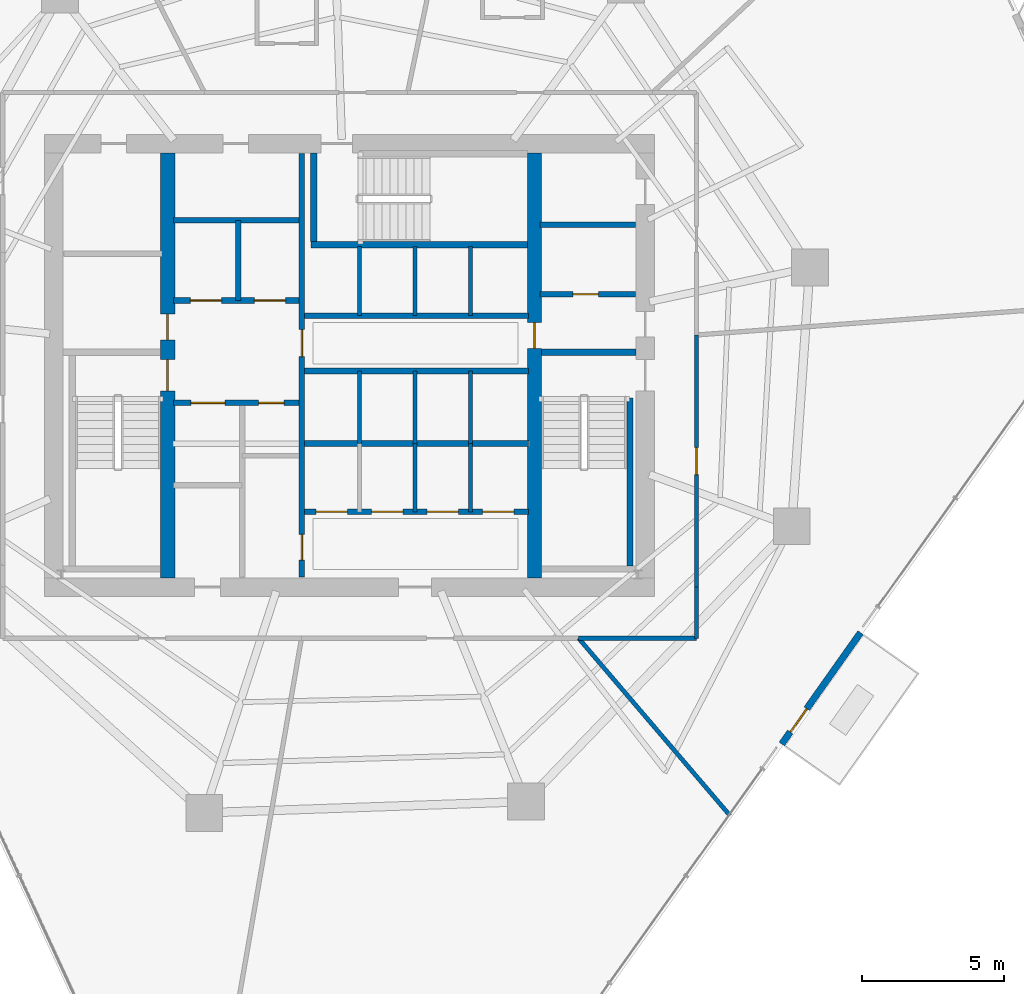
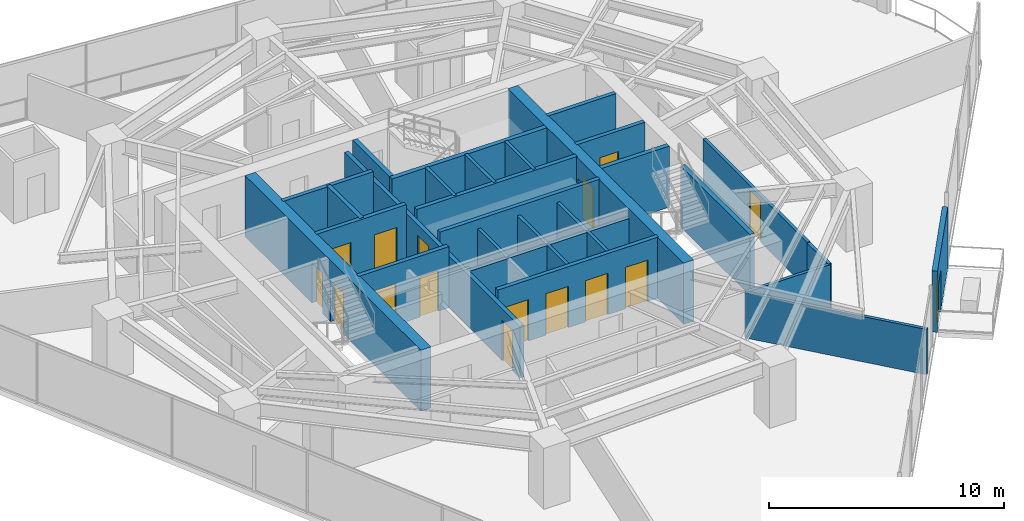
# One storey, part 26 of 30: 30 walls, 16 doors, 16 openings.
"""IFC4 building model written with IfcOpenShell, lengths in metres."""

from ifc_helpers import new_model, si_unit, direction, frame, frame_2d, origin, place, context, subcontext, project, spatial, rectangle, extrude, material, layer, layer_set, type_object, element, fill, save


model = new_model("IFC4")

# Units and contexts
model_context = context("Model", 3, precision=1e-05, world=origin(), true_north=direction((0.0, 1.0)))
body_context = subcontext(model_context, "Body", "Model", "MODEL_VIEW")
ifc_project = project(units=[si_unit("LENGTHUNIT", "METRE"), si_unit("AREAUNIT", "SQUARE_METRE"), si_unit("VOLUMEUNIT", "CUBIC_METRE"), si_unit("PLANEANGLEUNIT", "RADIAN"), si_unit("MASSUNIT", "GRAM", prefix="KILO")], contexts=[model_context])

# Site, building, storey
site_placement = place(None, origin())
site = spatial("IfcSite", under=ifc_project, at=site_placement, CompositionType="ELEMENT")
building_placement = place(site_placement, origin())
building = spatial("IfcBuilding", under=site, at=building_placement, Name="Qarnah Convention Tower", CompositionType="ELEMENT")
storey_placement = place(building_placement, frame((0.0, 0.0, 47.699951171875)))
storey = spatial("IfcBuildingStorey", under=building, at=storey_placement, Name="L11", CompositionType="ELEMENT", Elevation=47.699951171875)

# Wall, openings, doors
ifc_material_1 = material(Name="Concrete C60/75", Category="concrete")
ifc_layer_1 = layer(ifc_material_1, 0.5)
ifc_layer_set_1 = layer_set([ifc_layer_1], Name="Concrete C60/75")
wall_type_1 = type_object("IfcWallType", Name="WL-CORE-INT-400", PredefinedType="SHEAR", material=ifc_layer_set_1)
wall_1_placement = place(storey_placement, frame((30.800048828125, 18.925048828125, 0.0), z_axis=(0.0, 0.0, 1.0), x_axis=(0.0, 1.0, 0.0)))
wall_1 = element("IfcWall", 1, at=wall_1_placement, inside=storey, type_object=wall_type_1, Name="L11 core west spine shear wall", PredefinedType="SHEAR", context=body_context, shape_type="SweptSolid", body=[
    extrude(rectangle(XDim=14.949951171875, YDim=0.5, at=frame_2d((7.47509765625, 0.0))), origin(), (0.0, 0.0, 1.0), 3.170166015625),
])
opening_1_placement = place(wall_1_placement, frame((6.574951171875, 0.0, 0.0)))
opening_1 = element("IfcOpeningElement", 2, at=opening_1_placement, cuts=wall_1, Name="Opening D-1101", PredefinedType="OPENING", context=body_context, shape_type="SweptSolid", body=[
    extrude(rectangle(XDim=1.10009765625, YDim=2.14990234375, at=frame_2d((0.550048828125, 1.074951171875))), frame((0.0, 0.260009765625, 0.0), z_axis=(0.0, -1.0, 0.0), x_axis=(1.0, 0.0, 0.0)), (0.0, 0.0, 1.0), 0.52001953125),
])
opening_2_placement = place(wall_1_placement, frame((8.375, 0.0, 0.0)))
opening_2 = element("IfcOpeningElement", 3, at=opening_2_placement, cuts=wall_1, Name="Opening D-1108", PredefinedType="OPENING", context=body_context, shape_type="SweptSolid", body=[
    extrude(rectangle(XDim=0.89990234375, YDim=2.10009765625, at=frame_2d((0.449951171875, 1.050048828125))), frame((0.0, 0.260009765625, 0.0), z_axis=(0.0, -1.0, 0.0), x_axis=(1.0, 0.0, 0.0)), (0.0, 0.0, 1.0), 0.52001953125),
])
ifc_material_2 = material(Name="Structural steel S355JR", Category="steel")
door_type_1 = type_object("IfcDoorType", Name="DT-RISER-900", OperationType="NOTDEFINED", PredefinedType="DOOR", material=ifc_material_2)
door_1_placement = place(opening_2_placement, origin())
door_1 = element("IfcDoor", 4, at=door_1_placement, inside=storey, type_object=door_type_1, Name="Door D-1108", OperationType="SINGLE_SWING_RIGHT", OverallHeight=2.10009765625, OverallWidth=0.89990234375, PredefinedType="DOOR", context=body_context, shape_type="SweptSolid", body=[
    extrude(rectangle(XDim=0.89990234375, YDim=2.10009765625, at=frame_2d((0.449951171875, 1.050048828125))), frame((0.0, 0.02490234375, 0.0), z_axis=(0.0, -1.0, 0.0), x_axis=(1.0, 0.0, 0.0)), (0.0, 0.0, 1.0), 0.050048828125),
])
fill(opening_2, door_1)
door_type_2 = type_object("IfcDoorType", Name="DT-STAIR-1100", OperationType="NOTDEFINED", PredefinedType="DOOR", material=ifc_material_2)
door_2_placement = place(opening_1_placement, origin())
door_2 = element("IfcDoor", 5, at=door_2_placement, inside=storey, type_object=door_type_2, Name="Door D-1101", OperationType="SINGLE_SWING_LEFT", OverallHeight=2.14990234375, OverallWidth=1.10009765625, PredefinedType="DOOR", context=body_context, shape_type="SweptSolid", body=[
    extrude(rectangle(XDim=1.10009765625, YDim=2.14990234375, at=frame_2d((0.550048828125, 1.074951171875))), frame((0.0, 0.02490234375, 0.0), z_axis=(0.0, -1.0, 0.0), x_axis=(1.0, 0.0, 0.0)), (0.0, 0.0, 1.0), 0.050048828125),
])
fill(opening_1, door_2)

# Wall, opening, door
wall_2_placement = place(storey_placement, frame((43.699951171875, 18.925048828125, 0.0), z_axis=(0.0, 0.0, 1.0), x_axis=(0.0, 1.0, 0.0)))
wall_2 = element("IfcWall", 6, at=wall_2_placement, inside=storey, type_object=wall_type_1, Name="L11 core east spine shear wall", PredefinedType="SHEAR", context=body_context, shape_type="SweptSolid", body=[
    extrude(rectangle(XDim=14.949951171875, YDim=0.5, at=frame_2d((7.47509765625, 0.0))), origin(), (0.0, 0.0, 1.0), 3.170166015625),
])
opening_3_placement = place(wall_2_placement, frame((8.074951171875, 0.0, 0.0)))
opening_3 = element("IfcOpeningElement", 7, at=opening_3_placement, cuts=wall_2, Name="Opening D-1105", PredefinedType="OPENING", context=body_context, shape_type="SweptSolid", body=[
    extrude(rectangle(XDim=0.89990234375, YDim=2.10009765625, at=frame_2d((0.449951171875, 1.050048828125))), frame((0.0, 0.260009765625, 0.0), z_axis=(0.0, -1.0, 0.0), x_axis=(1.0, 0.0, 0.0)), (0.0, 0.0, 1.0), 0.52001953125),
])
door_3_placement = place(opening_3_placement, origin())
door_3 = element("IfcDoor", 8, at=door_3_placement, inside=storey, type_object=door_type_1, Name="Door D-1105", OperationType="SINGLE_SWING_LEFT", OverallHeight=2.10009765625, OverallWidth=0.89990234375, PredefinedType="DOOR", context=body_context, shape_type="SweptSolid", body=[
    extrude(rectangle(XDim=0.89990234375, YDim=2.10009765625, at=frame_2d((0.449951171875, 1.050048828125))), frame((0.0, 0.02490234375, 0.0), z_axis=(0.0, -1.0, 0.0), x_axis=(1.0, 0.0, 0.0)), (0.0, 0.0, 1.0), 0.050048828125),
])
fill(opening_3, door_3)

ifc_material_3 = material(Name="Concrete C45/55", Category="concrete")
ifc_layer_2 = layer(ifc_material_3, 0.199951171875)
ifc_layer_set_2 = layer_set([ifc_layer_2], Name="Concrete C45/55")
wall_type_2 = type_object("IfcWallType", Name="WL-CORE-PART-200", PredefinedType="SOLIDWALL", material=ifc_layer_set_2)
wall_3_placement = place(storey_placement, frame((43.89990234375, 28.89990234375, 0.0), z_axis=(0.0, 0.0, 1.0), x_axis=(1.0, 0.0, 0.0)))
wall_3 = element("IfcWall", 9, at=wall_3_placement, inside=storey, type_object=wall_type_2, Name="L11 interior wall IW-L11-EVSTN", PredefinedType="SOLIDWALL", context=body_context, shape_type="SweptSolid", body=[
    extrude(rectangle(XDim=3.35009765625, YDim=0.199951171875, at=frame_2d((1.675048828125, 0.0))), origin(), (0.0, 0.0, 1.0), 3.170166015625),
])
opening_4_placement = place(wall_3_placement, frame((1.14990234375, 0.0, 0.0)))
opening_4 = element("IfcOpeningElement", 10, at=opening_4_placement, cuts=wall_3, Name="Opening D-1111", PredefinedType="OPENING", context=body_context, shape_type="SweptSolid", body=[
    extrude(rectangle(XDim=0.89990234375, YDim=2.10009765625, at=frame_2d((0.449951171875, 1.050048828125))), frame((0.0, 0.10986328125, 0.0), z_axis=(0.0, -1.0, 0.0), x_axis=(1.0, 0.0, 0.0)), (0.0, 0.0, 1.0), 0.219970703125),
])
door_4_placement = place(opening_4_placement, origin())
door_4 = element("IfcDoor", 11, at=door_4_placement, inside=storey, type_object=door_type_1, Name="Door D-1111", OperationType="SINGLE_SWING_LEFT", OverallHeight=2.10009765625, OverallWidth=0.89990234375, PredefinedType="DOOR", context=body_context, shape_type="SweptSolid", body=[
    extrude(rectangle(XDim=0.89990234375, YDim=2.10009765625, at=frame_2d((0.449951171875, 1.050048828125))), frame((0.0, 0.02490234375, 0.0), z_axis=(0.0, -1.0, 0.0), x_axis=(1.0, 0.0, 0.0)), (0.0, 0.0, 1.0), 0.050048828125),
])
fill(opening_4, door_4)

# Wall
wall_4_placement = place(storey_placement, frame((43.89990234375, 31.35009765625, 0.0), z_axis=(0.0, 0.0, 1.0), x_axis=(1.0, 0.0, 0.0)))
element("IfcWall", 12, at=wall_4_placement, inside=storey, type_object=wall_type_2, Name="L11 interior wall IW-L11-WTRN", PredefinedType="SOLIDWALL", context=body_context, shape_type="SweptSolid", body=[
    extrude(rectangle(XDim=3.35009765625, YDim=0.199951171875, at=frame_2d((1.675048828125, 0.0))), origin(), (0.0, 0.0, 1.0), 3.170166015625),
])

# Wall, openings, doors
wall_5_placement = place(storey_placement, frame((35.52001953125, 18.949951171875, 0.0), z_axis=(0.0, 0.0, 1.0), x_axis=(0.0, 1.0, 0.0)))
wall_5 = element("IfcWall", 13, at=wall_5_placement, inside=storey, type_object=wall_type_2, Name="L11 interior wall IW-L11-CSP", PredefinedType="SOLIDWALL", context=body_context, shape_type="SweptSolid", body=[
    extrude(rectangle(XDim=14.900146484375, YDim=0.199951171875, at=frame_2d((7.4501953125, 0.0))), origin(), (0.0, 0.0, 1.0), 2.691162109375),
])
opening_5_placement = place(wall_5_placement, frame((7.7548828125, 0.0, 0.0)))
opening_5 = element("IfcOpeningElement", 14, at=opening_5_placement, cuts=wall_5, Name="Opening D-1104", PredefinedType="OPENING", context=body_context, shape_type="SweptSolid", body=[
    extrude(rectangle(XDim=0.949951171875, YDim=2.14990234375, at=frame_2d((0.47509765625, 1.074951171875))), frame((0.0, 0.10986328125, 0.0), z_axis=(0.0, -1.0, 0.0), x_axis=(1.0, 0.0, 0.0)), (0.0, 0.0, 1.0), 0.219970703125),
])
opening_6_placement = place(wall_5_placement, frame((0.60009765625, 0.0, 0.0)))
opening_6 = element("IfcOpeningElement", 15, at=opening_6_placement, cuts=wall_5, Name="Opening D-1114", PredefinedType="OPENING", context=body_context, shape_type="SweptSolid", body=[
    extrude(rectangle(XDim=0.89990234375, YDim=2.10009765625, at=frame_2d((0.449951171875, 1.050048828125))), frame((0.0, 0.10986328125, 0.0), z_axis=(0.0, -1.0, 0.0), x_axis=(1.0, 0.0, 0.0)), (0.0, 0.0, 1.0), 0.219970703125),
])
ifc_material_4 = material(Name="Oak timber veneer", Category="wood")
door_type_3 = type_object("IfcDoorType", Name="DT-HOTEL-950", OperationType="NOTDEFINED", PredefinedType="DOOR", material=ifc_material_4)
door_5_placement = place(opening_5_placement, origin())
door_5 = element("IfcDoor", 16, at=door_5_placement, inside=storey, type_object=door_type_3, Name="Door D-1104", OperationType="SINGLE_SWING_RIGHT", OverallHeight=2.14990234375, OverallWidth=0.949951171875, PredefinedType="DOOR", context=body_context, shape_type="SweptSolid", body=[
    extrude(rectangle(XDim=0.949951171875, YDim=2.14990234375, at=frame_2d((0.47509765625, 1.074951171875))), frame((0.0, 0.02490234375, 0.0), z_axis=(0.0, -1.0, 0.0), x_axis=(1.0, 0.0, 0.0)), (0.0, 0.0, 1.0), 0.050048828125),
])
fill(opening_5, door_5)
door_6_placement = place(opening_6_placement, origin())
door_6 = element("IfcDoor", 17, at=door_6_placement, inside=storey, type_object=door_type_1, Name="Door D-1114", OperationType="SINGLE_SWING_RIGHT", OverallHeight=2.10009765625, OverallWidth=0.89990234375, PredefinedType="DOOR", context=body_context, shape_type="SweptSolid", body=[
    extrude(rectangle(XDim=0.89990234375, YDim=2.10009765625, at=frame_2d((0.449951171875, 1.050048828125))), frame((0.0, 0.02490234375, 0.0), z_axis=(0.0, -1.0, 0.0), x_axis=(1.0, 0.0, 0.0)), (0.0, 0.0, 1.0), 0.050048828125),
])
fill(opening_6, door_6)

wall_6_placement = place(storey_placement, frame((31.0, 28.679931640625, 0.0), z_axis=(0.0, 0.0, 1.0), x_axis=(1.0, 0.0, 0.0)))
wall_6 = element("IfcWall", 18, at=wall_6_placement, inside=storey, type_object=wall_type_2, Name="L11 interior wall IW-L11-FFLS", PredefinedType="SOLIDWALL", context=body_context, shape_type="SweptSolid", body=[
    extrude(rectangle(XDim=4.419921875, YDim=0.199951171875, at=frame_2d((2.2099609375, 0.0))), origin(), (0.0, 0.0, 1.0), 3.170166015625),
])
opening_7_placement = place(wall_6_placement, frame((0.60009765625, 0.0, 0.0)))
opening_7 = element("IfcOpeningElement", 19, at=opening_7_placement, cuts=wall_6, Name="Opening LD-1101", PredefinedType="OPENING", context=body_context, shape_type="SweptSolid", body=[
    extrude(rectangle(XDim=1.10009765625, YDim=2.14990234375, at=frame_2d((0.550048828125, 1.074951171875))), frame((0.0, 0.10986328125, 0.0), z_axis=(0.0, -1.0, 0.0), x_axis=(1.0, 0.0, 0.0)), (0.0, 0.0, 1.0), 0.219970703125),
])
opening_8_placement = place(wall_6_placement, frame((2.85009765625, 0.0, 0.0)))
opening_8 = element("IfcOpeningElement", 20, at=opening_8_placement, cuts=wall_6, Name="Opening LD-1102", PredefinedType="OPENING", context=body_context, shape_type="SweptSolid", body=[
    extrude(rectangle(XDim=1.10009765625, YDim=2.14990234375, at=frame_2d((0.550048828125, 1.074951171875))), frame((0.0, 0.10986328125, 0.0), z_axis=(0.0, -1.0, 0.0), x_axis=(1.0, 0.0, 0.0)), (0.0, 0.0, 1.0), 0.219970703125),
])
door_type_4 = type_object("IfcDoorType", Name="DT-LIFT-1100", OperationType="SLIDING_TO_LEFT", PredefinedType="DOOR", material=ifc_material_2)
door_7_placement = place(opening_7_placement, origin())
door_7 = element("IfcDoor", 21, at=door_7_placement, inside=storey, type_object=door_type_4, Name="Door LD-1101", OperationType="SLIDING_TO_LEFT", OverallHeight=2.14990234375, OverallWidth=1.10009765625, PredefinedType="DOOR", context=body_context, shape_type="SweptSolid", body=[
    extrude(rectangle(XDim=1.10009765625, YDim=2.14990234375, at=frame_2d((0.550048828125, 1.074951171875))), frame((0.0, 0.02490234375, 0.0), z_axis=(0.0, -1.0, 0.0), x_axis=(1.0, 0.0, 0.0)), (0.0, 0.0, 1.0), 0.050048828125),
])
fill(opening_7, door_7)
door_8_placement = place(opening_8_placement, origin())
door_8 = element("IfcDoor", 22, at=door_8_placement, inside=storey, type_object=door_type_4, Name="Door LD-1102", OperationType="SLIDING_TO_LEFT", OverallHeight=2.14990234375, OverallWidth=1.10009765625, PredefinedType="DOOR", context=body_context, shape_type="SweptSolid", body=[
    extrude(rectangle(XDim=1.10009765625, YDim=2.14990234375, at=frame_2d((0.550048828125, 1.074951171875))), frame((0.0, 0.02490234375, 0.0), z_axis=(0.0, -1.0, 0.0), x_axis=(1.0, 0.0, 0.0)), (0.0, 0.0, 1.0), 0.050048828125),
])
fill(opening_8, door_8)

# Walls
wall_7_placement = place(storey_placement, frame((31.0, 31.5, 0.0), z_axis=(0.0, 0.0, 1.0), x_axis=(1.0, 0.0, 0.0)))
element("IfcWall", 23, at=wall_7_placement, inside=storey, type_object=wall_type_2, Name="L11 interior wall IW-L11-FFLN", PredefinedType="SOLIDWALL", context=body_context, shape_type="SweptSolid", body=[
    extrude(rectangle(XDim=4.419921875, YDim=0.199951171875, at=frame_2d((2.2099609375, 0.0))), origin(), (0.0, 0.0, 1.0), 3.170166015625),
])
wall_8_placement = place(storey_placement, frame((33.280029296875, 28.679931640625, 0.0), z_axis=(0.0, 0.0, 1.0), x_axis=(0.0, 1.0, 0.0)))
element("IfcWall", 24, at=wall_8_placement, inside=storey, type_object=wall_type_2, Name="L11 interior wall IW-L11-FFLM", PredefinedType="SOLIDWALL", context=body_context, shape_type="SweptSolid", body=[
    extrude(rectangle(XDim=2.820068359375, YDim=0.199951171875, at=frame_2d((1.41015625, 0.0))), origin(), (0.0, 0.0, 1.0), 3.170166015625),
])

# Wall, openings, doors
wall_9_placement = place(storey_placement, frame((31.0, 25.080078125, 0.0), z_axis=(0.0, 0.0, 1.0), x_axis=(1.0, 0.0, 0.0)))
wall_9 = element("IfcWall", 25, at=wall_9_placement, inside=storey, type_object=wall_type_2, Name="L11 interior wall IW-L11-FFLBS", PredefinedType="SOLIDWALL", context=body_context, shape_type="SweptSolid", body=[
    extrude(rectangle(XDim=4.419921875, YDim=0.199951171875, at=frame_2d((2.2099609375, 0.0))), origin(), (0.0, 0.0, 1.0), 3.170166015625),
])
opening_9_placement = place(wall_9_placement, frame((3.0, 0.0, 0.0)))
opening_9 = element("IfcOpeningElement", 26, at=opening_9_placement, cuts=wall_9, Name="Opening D-1115", PredefinedType="OPENING", context=body_context, shape_type="SweptSolid", body=[
    extrude(rectangle(XDim=0.89990234375, YDim=2.10009765625, at=frame_2d((0.449951171875, 1.050048828125))), frame((0.0, 0.10986328125, 0.0), z_axis=(0.0, -1.0, 0.0), x_axis=(1.0, 0.0, 0.0)), (0.0, 0.0, 1.0), 0.219970703125),
])
opening_10_placement = place(wall_9_placement, frame((0.6201171875, 0.0, 0.0)))
opening_10 = element("IfcOpeningElement", 27, at=opening_10_placement, cuts=wall_9, Name="Opening LD-1103", PredefinedType="OPENING", context=body_context, shape_type="SweptSolid", body=[
    extrude(rectangle(XDim=1.199951171875, YDim=2.14990234375, at=frame_2d((0.60009765625, 1.074951171875))), frame((0.0, 0.10986328125, 0.0), z_axis=(0.0, -1.0, 0.0), x_axis=(1.0, 0.0, 0.0)), (0.0, 0.0, 1.0), 0.219970703125),
])
door_type_5 = type_object("IfcDoorType", Name="DT-LIFT-1200", OperationType="SLIDING_TO_LEFT", PredefinedType="DOOR", material=ifc_material_2)
door_9_placement = place(opening_10_placement, origin())
door_9 = element("IfcDoor", 28, at=door_9_placement, inside=storey, type_object=door_type_5, Name="Door LD-1103", OperationType="SLIDING_TO_LEFT", OverallHeight=2.14990234375, OverallWidth=1.199951171875, PredefinedType="DOOR", context=body_context, shape_type="SweptSolid", body=[
    extrude(rectangle(XDim=1.199951171875, YDim=2.14990234375, at=frame_2d((0.60009765625, 1.074951171875))), frame((0.0, 0.02490234375, 0.0), z_axis=(0.0, -1.0, 0.0), x_axis=(1.0, 0.0, 0.0)), (0.0, 0.0, 1.0), 0.050048828125),
])
fill(opening_10, door_9)
door_10_placement = place(opening_9_placement, origin())
door_10 = element("IfcDoor", 29, at=door_10_placement, inside=storey, type_object=door_type_1, Name="Door D-1115", OperationType="SINGLE_SWING_LEFT", OverallHeight=2.10009765625, OverallWidth=0.89990234375, PredefinedType="DOOR", context=body_context, shape_type="SweptSolid", body=[
    extrude(rectangle(XDim=0.89990234375, YDim=2.10009765625, at=frame_2d((0.449951171875, 1.050048828125))), frame((0.0, 0.02490234375, 0.0), z_axis=(0.0, -1.0, 0.0), x_axis=(1.0, 0.0, 0.0)), (0.0, 0.0, 1.0), 0.050048828125),
])
fill(opening_9, door_10)

# Walls
for number, where, z_axis, x_axis, name in (
    (30, (35.6201171875, 28.14990234375, 0.0), (0.0, 0.0, 1.0), (1.0, 0.0, 0.0), "L11 interior wall IW-L11-PHS"),
    (31, (35.6201171875, 26.199951171875, 0.0), (0.0, 0.0, 1.0), (1.0, 0.0, 0.0), "L11 interior wall IW-L11-PMN"),
):
    element("IfcWall", number, at=place(storey_placement, frame(where, z_axis=z_axis, x_axis=x_axis)), inside=storey, type_object=wall_type_2, Name=name, PredefinedType="SOLIDWALL", context=body_context, shape_type="SweptSolid", body=[
        extrude(rectangle(XDim=7.8798828125, YDim=0.199951171875, at=frame_2d((3.93994140625, 0.0))), origin(), (0.0, 0.0, 1.0), 3.170166015625),
    ])
wall_10_placement = place(storey_placement, frame((35.6201171875, 23.64990234375, 0.0), z_axis=(0.0, 0.0, 1.0), x_axis=(1.0, 0.0, 0.0)))
element("IfcWall", 32, at=wall_10_placement, inside=storey, type_object=wall_type_2, Name="L11 interior wall IW-L11-PMPL", PredefinedType="SOLIDWALL", context=body_context, shape_type="SweptSolid", body=[
    extrude(rectangle(XDim=7.8798828125, YDim=0.199951171875, at=frame_2d((3.93994140625, 0.0))), origin(), (0.0, 0.0, 1.0), 2.691162109375),
])

# Wall, openings, doors
wall_11_placement = place(storey_placement, frame((35.6201171875, 21.25, 0.0), z_axis=(0.0, 0.0, 1.0), x_axis=(1.0, 0.0, 0.0)))
wall_11 = element("IfcWall", 33, at=wall_11_placement, inside=storey, type_object=wall_type_2, Name="L11 interior wall IW-L11-PLS", PredefinedType="SOLIDWALL", context=body_context, shape_type="SweptSolid", body=[
    extrude(rectangle(XDim=7.8798828125, YDim=0.199951171875, at=frame_2d((3.93994140625, 0.0))), origin(), (0.0, 0.0, 1.0), 3.170166015625),
])
opening_11_placement = place(wall_11_placement, frame((0.405029296875, 0.0, 0.0)))
opening_11 = element("IfcOpeningElement", 34, at=opening_11_placement, cuts=wall_11, Name="Opening LD-1104", PredefinedType="OPENING", context=body_context, shape_type="SweptSolid", body=[
    extrude(rectangle(XDim=1.10009765625, YDim=2.14990234375, at=frame_2d((0.550048828125, 1.074951171875))), frame((0.0, 0.10986328125, 0.0), z_axis=(0.0, -1.0, 0.0), x_axis=(1.0, 0.0, 0.0)), (0.0, 0.0, 1.0), 0.219970703125),
])
opening_12_placement = place(wall_11_placement, frame((2.35498046875, 0.0, 0.0)))
opening_12 = element("IfcOpeningElement", 35, at=opening_12_placement, cuts=wall_11, Name="Opening LD-1105", PredefinedType="OPENING", context=body_context, shape_type="SweptSolid", body=[
    extrude(rectangle(XDim=1.10009765625, YDim=2.14990234375, at=frame_2d((0.550048828125, 1.074951171875))), frame((0.0, 0.10986328125, 0.0), z_axis=(0.0, -1.0, 0.0), x_axis=(1.0, 0.0, 0.0)), (0.0, 0.0, 1.0), 0.219970703125),
])
opening_13_placement = place(wall_11_placement, frame((4.304931640625, 0.0, 0.0)))
opening_13 = element("IfcOpeningElement", 36, at=opening_13_placement, cuts=wall_11, Name="Opening LD-1106", PredefinedType="OPENING", context=body_context, shape_type="SweptSolid", body=[
    extrude(rectangle(XDim=1.10009765625, YDim=2.14990234375, at=frame_2d((0.550048828125, 1.074951171875))), frame((0.0, 0.10986328125, 0.0), z_axis=(0.0, -1.0, 0.0), x_axis=(1.0, 0.0, 0.0)), (0.0, 0.0, 1.0), 0.219970703125),
])
opening_14_placement = place(wall_11_placement, frame((6.2548828125, 0.0, 0.0)))
opening_14 = element("IfcOpeningElement", 37, at=opening_14_placement, cuts=wall_11, Name="Opening LD-1107", PredefinedType="OPENING", context=body_context, shape_type="SweptSolid", body=[
    extrude(rectangle(XDim=1.10009765625, YDim=2.14990234375, at=frame_2d((0.550048828125, 1.074951171875))), frame((0.0, 0.10986328125, 0.0), z_axis=(0.0, -1.0, 0.0), x_axis=(1.0, 0.0, 0.0)), (0.0, 0.0, 1.0), 0.219970703125),
])
door_11_placement = place(opening_11_placement, origin())
door_11 = element("IfcDoor", 38, at=door_11_placement, inside=storey, type_object=door_type_4, Name="Door LD-1104", OperationType="SLIDING_TO_LEFT", OverallHeight=2.14990234375, OverallWidth=1.10009765625, PredefinedType="DOOR", context=body_context, shape_type="SweptSolid", body=[
    extrude(rectangle(XDim=1.10009765625, YDim=2.14990234375, at=frame_2d((0.550048828125, 1.074951171875))), frame((0.0, 0.02490234375, 0.0), z_axis=(0.0, -1.0, 0.0), x_axis=(1.0, 0.0, 0.0)), (0.0, 0.0, 1.0), 0.050048828125),
])
fill(opening_11, door_11)
door_12_placement = place(opening_12_placement, origin())
door_12 = element("IfcDoor", 39, at=door_12_placement, inside=storey, type_object=door_type_4, Name="Door LD-1105", OperationType="SLIDING_TO_LEFT", OverallHeight=2.14990234375, OverallWidth=1.10009765625, PredefinedType="DOOR", context=body_context, shape_type="SweptSolid", body=[
    extrude(rectangle(XDim=1.10009765625, YDim=2.14990234375, at=frame_2d((0.550048828125, 1.074951171875))), frame((0.0, 0.02490234375, 0.0), z_axis=(0.0, -1.0, 0.0), x_axis=(1.0, 0.0, 0.0)), (0.0, 0.0, 1.0), 0.050048828125),
])
fill(opening_12, door_12)
door_13_placement = place(opening_13_placement, origin())
door_13 = element("IfcDoor", 40, at=door_13_placement, inside=storey, type_object=door_type_4, Name="Door LD-1106", OperationType="SLIDING_TO_LEFT", OverallHeight=2.14990234375, OverallWidth=1.10009765625, PredefinedType="DOOR", context=body_context, shape_type="SweptSolid", body=[
    extrude(rectangle(XDim=1.10009765625, YDim=2.14990234375, at=frame_2d((0.550048828125, 1.074951171875))), frame((0.0, 0.02490234375, 0.0), z_axis=(0.0, -1.0, 0.0), x_axis=(1.0, 0.0, 0.0)), (0.0, 0.0, 1.0), 0.050048828125),
])
fill(opening_13, door_13)
door_14_placement = place(opening_14_placement, origin())
door_14 = element("IfcDoor", 41, at=door_14_placement, inside=storey, type_object=door_type_4, Name="Door LD-1107", OperationType="SLIDING_TO_LEFT", OverallHeight=2.14990234375, OverallWidth=1.10009765625, PredefinedType="DOOR", context=body_context, shape_type="SweptSolid", body=[
    extrude(rectangle(XDim=1.10009765625, YDim=2.14990234375, at=frame_2d((0.550048828125, 1.074951171875))), frame((0.0, 0.02490234375, 0.0), z_axis=(0.0, -1.0, 0.0), x_axis=(1.0, 0.0, 0.0)), (0.0, 0.0, 1.0), 0.050048828125),
])
fill(opening_14, door_14)

# Walls
ifc_layer_3 = layer(ifc_material_1, 0.219970703125)
ifc_layer_set_3 = layer_set([ifc_layer_3], Name="Concrete C60/75")
wall_type_3 = type_object("IfcWallType", Name="WL-CORE-STAIR-220", PredefinedType="SHEAR", material=ifc_layer_set_3)
wall_12_placement = place(storey_placement, frame((43.949951171875, 26.860107421875, 0.0), z_axis=(0.0, 0.0, 1.0), x_axis=(1.0, 0.0, 0.0)))
element("IfcWall", 42, at=wall_12_placement, inside=storey, type_object=wall_type_3, Name="L11 stair shaft shear wall SW-L11-ST2N", PredefinedType="SHEAR", context=body_context, shape_type="SweptSolid", body=[
    extrude(rectangle(XDim=3.324951171875, YDim=0.219970703125, at=frame_2d((1.66259765625, 0.0))), origin(), (0.0, 0.0, 1.0), 3.170166015625),
])
wall_13_placement = place(storey_placement, frame((47.06005859375, 19.35009765625, 0.0), z_axis=(0.0, 0.0, 1.0), x_axis=(0.0, 1.0, 0.0)))
element("IfcWall", 43, at=wall_13_placement, inside=storey, type_object=wall_type_3, Name="L11 stair shaft shear wall SW-L11-ST2E", PredefinedType="SHEAR", context=body_context, shape_type="SweptSolid", body=[
    extrude(rectangle(XDim=5.89990234375, YDim=0.219970703125, at=frame_2d((2.949951171875, 0.0))), origin(), (0.0, 0.0, 1.0), 3.170166015625),
])
wall_14_placement = place(storey_placement, frame((35.840087890625, 30.639892578125, 0.0), z_axis=(0.0, 0.0, 1.0), x_axis=(1.0, 0.0, 0.0)))
element("IfcWall", 44, at=wall_14_placement, inside=storey, type_object=wall_type_3, Name="L11 stair shaft shear wall SW-L11-ST3S", PredefinedType="SHEAR", context=body_context, shape_type="SweptSolid", body=[
    extrude(rectangle(XDim=7.60986328125, YDim=0.219970703125, at=frame_2d((3.804931640625, 0.0))), origin(), (0.0, 0.0, 1.0), 3.170166015625),
])
wall_15_placement = place(storey_placement, frame((35.93994140625, 30.75, 0.0), z_axis=(0.0, 0.0, 1.0), x_axis=(0.0, 1.0, 0.0)))
element("IfcWall", 45, at=wall_15_placement, inside=storey, type_object=wall_type_3, Name="L11 stair shaft shear wall SW-L11-ST3W", PredefinedType="SHEAR", context=body_context, shape_type="SweptSolid", body=[
    extrude(rectangle(XDim=3.125, YDim=0.219970703125, at=frame_2d((1.5625, 0.0))), origin(), (0.0, 0.0, 1.0), 3.170166015625),
])

# Wall, opening, door
ifc_material_5 = material(Name="Precast concrete C45/55", Category="concrete")
ifc_layer_4 = layer(ifc_material_5, 0.239990234375)
ifc_layer_set_4 = layer_set([ifc_layer_4], Name="Precast concrete C45/55")
wall_type_4 = type_object("IfcWallType", Name="WL-EXT-BAL-240", PredefinedType="SOLIDWALL", material=ifc_layer_set_4)
wall_16_placement = place(storey_placement, frame((55.176025390625, 16.99609375, 0.0), z_axis=(0.0, 0.0, 1.0), x_axis=(-0.577677199268, -0.816265308246, 0.0)))
wall_16 = element("IfcWall", 46, at=wall_16_placement, inside=storey, type_object=wall_type_4, Name="L11 loggia threshold wall VN-L11", PredefinedType="SOLIDWALL", context=body_context, shape_type="SweptSolid", body=[
    extrude(rectangle(XDim=4.800048828125, YDim=0.239990234375, at=frame_2d((2.39990234375, 0.0))), origin(), (0.0, 0.0, 1.0), 3.170166015625),
])
opening_15_placement = place(wall_16_placement, frame((3.280029296875, 0.0, 0.0)))
opening_15 = element("IfcOpeningElement", 47, at=opening_15_placement, cuts=wall_16, Name="Opening BD-1103", PredefinedType="OPENING", context=body_context, shape_type="SweptSolid", body=[
    extrude(rectangle(XDim=1.0, YDim=2.14990234375, at=frame_2d((0.5, 1.074951171875))), frame((0.0, 0.1298828125, 0.0), z_axis=(0.0, -1.0, 0.0), x_axis=(1.0, 0.0, 0.0)), (0.0, 0.0, 1.0), 0.260009765625),
])
ifc_material_6 = material(Name="Black anodised aluminium", Category="aluminium")
door_type_6 = type_object("IfcDoorType", Name="DT-BAL-1000", OperationType="NOTDEFINED", PredefinedType="DOOR", material=ifc_material_6)
door_15_placement = place(opening_15_placement, origin())
door_15 = element("IfcDoor", 48, at=door_15_placement, inside=storey, type_object=door_type_6, Name="L11 balcony terrace door VN-L11", OperationType="SINGLE_SWING_LEFT", OverallHeight=2.14990234375, OverallWidth=1.0, PredefinedType="DOOR", context=body_context, shape_type="SweptSolid", body=[
    extrude(rectangle(XDim=1.0, YDim=2.14990234375, at=frame_2d((0.5, 1.074951171875))), frame((0.0, 0.02490234375, 0.0), z_axis=(0.0, -1.0, 0.0), x_axis=(1.0, 0.0, 0.0)), (0.0, 0.0, 1.0), 0.050048828125),
])
fill(opening_15, door_15)

# Walls
ifc_material_7 = material(Name="Gypsum partition board")
ifc_layer_5 = layer(ifc_material_7, 0.14990234375)
ifc_layer_set_5 = layer_set([ifc_layer_5], Name="Gypsum partition board")
wall_type_5 = type_object("IfcWallType", Name="WL-SUITE-150", PredefinedType="PARTITIONING", material=ifc_layer_set_5)
for number, where, z_axis, x_axis, name in (
    (49, (37.550048828125, 28.14990234375, 0.0), (0.0, 0.0, 1.0), (0.0, 1.0, 0.0), "L11 interior wall IW-L11-PHD1"),
    (50, (39.5, 28.14990234375, 0.0), (0.0, 0.0, 1.0), (0.0, 1.0, 0.0), "L11 interior wall IW-L11-PHD2"),
    (51, (41.449951171875, 28.14990234375, 0.0), (0.0, 0.0, 1.0), (0.0, 1.0, 0.0), "L11 interior wall IW-L11-PHD3"),
):
    element("IfcWall", number, at=place(storey_placement, frame(where, z_axis=z_axis, x_axis=x_axis)), inside=storey, type_object=wall_type_5, Name=name, PredefinedType="PARTITIONING", context=body_context, shape_type="SweptSolid", body=[
        extrude(rectangle(XDim=2.43017578125, YDim=0.14990234375, at=frame_2d((1.215087890625, 0.0))), origin(), (0.0, 0.0, 1.0), 3.170166015625),
    ])
for number, where, z_axis, x_axis, name in (
    (52, (37.550048828125, 23.64990234375, 0.0), (0.0, 0.0, 1.0), (0.0, 1.0, 0.0), "L11 interior wall IW-L11-PMD1"),
    (53, (39.5, 23.64990234375, 0.0), (0.0, 0.0, 1.0), (0.0, 1.0, 0.0), "L11 interior wall IW-L11-PMD2"),
    (54, (41.449951171875, 23.64990234375, 0.0), (0.0, 0.0, 1.0), (0.0, 1.0, 0.0), "L11 interior wall IW-L11-PMD3"),
):
    element("IfcWall", number, at=place(storey_placement, frame(where, z_axis=z_axis, x_axis=x_axis)), inside=storey, type_object=wall_type_5, Name=name, PredefinedType="PARTITIONING", context=body_context, shape_type="SweptSolid", body=[
        extrude(rectangle(XDim=2.550048828125, YDim=0.14990234375, at=frame_2d((1.27490234375, 0.0))), origin(), (0.0, 0.0, 1.0), 2.691162109375),
    ])
for number, where, z_axis, x_axis, name in (
    (55, (39.5, 21.25, 0.0), (0.0, 0.0, 1.0), (0.0, 1.0, 0.0), "L11 interior wall IW-L11-PLD2"),
    (56, (41.449951171875, 21.25, 0.0), (0.0, 0.0, 1.0), (0.0, 1.0, 0.0), "L11 interior wall IW-L11-PLD3"),
):
    element("IfcWall", number, at=place(storey_placement, frame(where, z_axis=z_axis, x_axis=x_axis)), inside=storey, type_object=wall_type_5, Name=name, PredefinedType="PARTITIONING", context=body_context, shape_type="SweptSolid", body=[
        extrude(rectangle(XDim=2.39990234375, YDim=0.14990234375, at=frame_2d((1.199951171875, 0.0))), origin(), (0.0, 0.0, 1.0), 2.691162109375),
    ])
wall_17_placement = place(storey_placement, frame((50.583984375, 10.55908203125, 0.0), z_axis=(0.0, 0.0, 1.0), x_axis=(-0.649364366776, 0.760477428436, 0.0)))
element("IfcWall", 57, at=wall_17_placement, inside=storey, type_object=wall_type_5, Name="L11 interior wall IW-L11-R-32", PredefinedType="PARTITIONING", context=body_context, shape_type="SweptSolid", body=[
    extrude(rectangle(XDim=8.20654296875, YDim=0.14990234375, at=frame_2d((4.103271484375, 0.0))), origin(), (0.0, 0.0, 1.0), 2.35498046875),
])

# Wall, opening, door
wall_18_placement = place(storey_placement, frame((49.39990234375, 27.467041015625, 0.0), z_axis=(0.0, 0.0, 1.0), x_axis=(0.0, -1.0, 0.0)))
wall_18 = element("IfcWall", 58, at=wall_18_placement, inside=storey, type_object=wall_type_5, Name="L11 interior wall IW-L11-R-34", PredefinedType="PARTITIONING", context=body_context, shape_type="SweptSolid", body=[
    extrude(rectangle(XDim=8.866943359375, YDim=0.14990234375, at=frame_2d((4.43359375, 0.0))), origin(), (0.0, 0.0, 1.0), 2.39501953125),
])
opening_16_placement = place(wall_18_placement, frame((3.9580078125, 0.0, 0.0)))
opening_16 = element("IfcOpeningElement", 59, at=opening_16_placement, cuts=wall_18, Name="Opening D-1126", PredefinedType="OPENING", context=body_context, shape_type="SweptSolid", body=[
    extrude(rectangle(XDim=0.949951171875, YDim=2.14990234375, at=frame_2d((0.47509765625, 1.074951171875))), frame((0.0, 0.0849609375, 0.0), z_axis=(0.0, -1.0, 0.0), x_axis=(1.0, 0.0, 0.0)), (0.0, 0.0, 1.0), 0.169921875),
])
door_16_placement = place(opening_16_placement, origin())
door_16 = element("IfcDoor", 60, at=door_16_placement, inside=storey, type_object=door_type_3, Name="Door D-1126", OperationType="SINGLE_SWING_RIGHT", OverallHeight=2.14990234375, OverallWidth=0.949951171875, PredefinedType="DOOR", context=body_context, shape_type="SweptSolid", body=[
    extrude(rectangle(XDim=0.949951171875, YDim=2.14990234375, at=frame_2d((0.47509765625, 1.074951171875))), frame((0.0, 0.02490234375, 0.0), z_axis=(0.0, -1.0, 0.0), x_axis=(1.0, 0.0, 0.0)), (0.0, 0.0, 1.0), 0.050048828125),
])
fill(opening_16, door_16)

# Walls
wall_19_placement = place(storey_placement, frame((49.39990234375, 18.60009765625, 0.0), z_axis=(0.0, 0.0, 1.0), x_axis=(0.0, -1.0, 0.0)))
element("IfcWall", 61, at=wall_19_placement, inside=storey, type_object=wall_type_5, Name="L11 interior wall IW-L11-R-35", PredefinedType="PARTITIONING", context=body_context, shape_type="SweptSolid", body=[
    extrude(rectangle(XDim=1.800048828125, YDim=0.14990234375, at=frame_2d((0.89990234375, 0.0))), origin(), (0.0, 0.0, 1.0), 2.35498046875),
])
wall_20_placement = place(storey_placement, frame((49.39990234375, 16.800048828125, 0.0), z_axis=(0.0, 0.0, 1.0), x_axis=(-1.0, 0.0, 0.0)))
element("IfcWall", 62, at=wall_20_placement, inside=storey, type_object=wall_type_5, Name="L11 interior wall IW-L11-R-36", PredefinedType="PARTITIONING", context=body_context, shape_type="SweptSolid", body=[
    extrude(rectangle(XDim=4.14501953125, YDim=0.14990234375, at=frame_2d((2.072509765625, 0.0))), origin(), (0.0, 0.0, 1.0), 2.35498046875),
])

save(model, "model.ifc")
